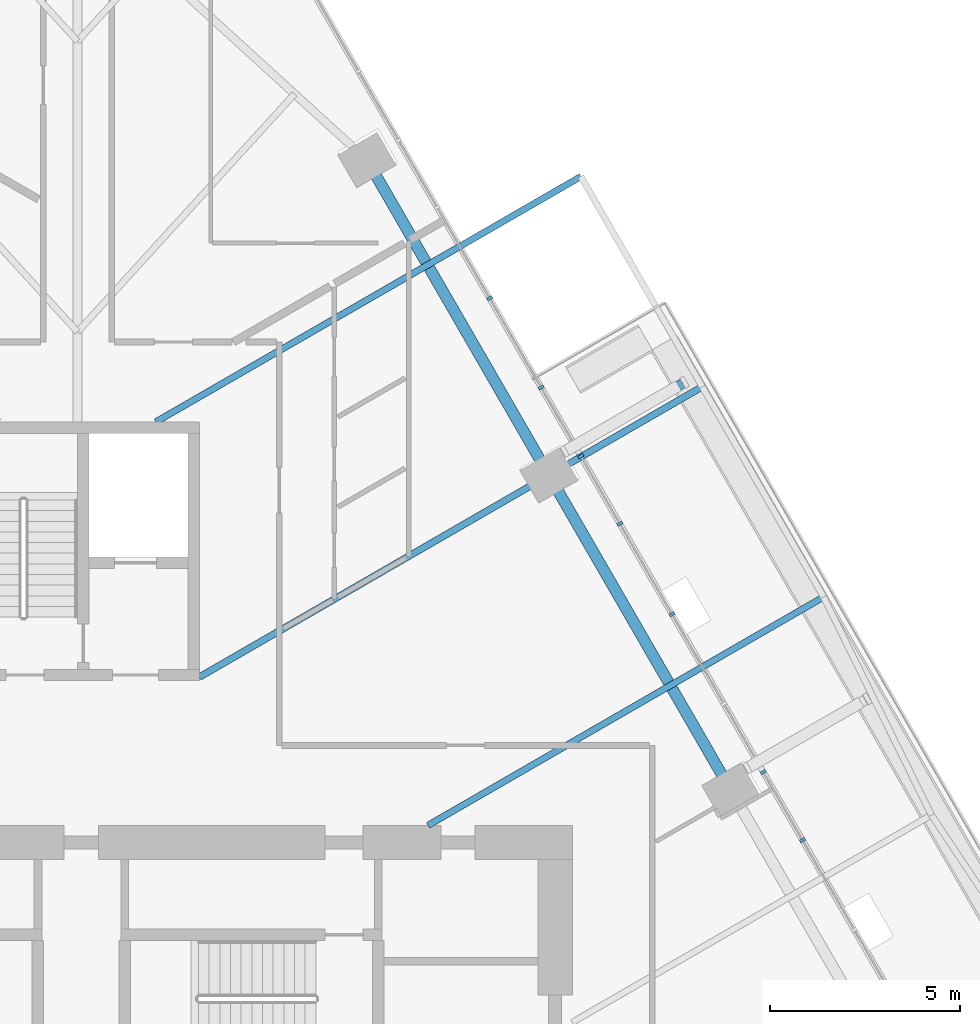
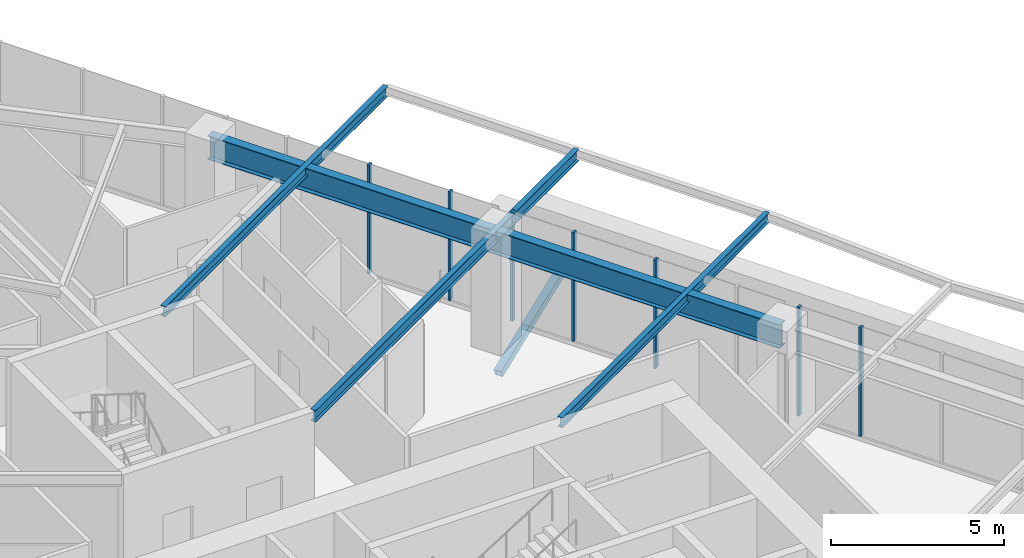
# One storey, part 9 of 29: 8 members, 4 beams, 1 element without a shape of its own.
"""IFC4 building model written with IfcOpenShell, lengths in metres."""

import ifcopenshell
import ifcopenshell.guid

model = None  # the IFC model being written
_history = None  # IfcOwnerHistory: only IFC2X3 demands one
_inside = {}  # id of a spatial element -> (the spatial element, [elements in it])
_under = {}  # id of a project, library or spatial element -> (it, [spatial elements below it])
_declared = {}  # id of a project -> (the project, [libraries it declares])
_typed = {}  # id of a type object -> (the type object, [elements of that type])
_made_of = {}  # id of a material, layer set ... -> (it, [elements and type objects made of it])


def new_model(schema):
    """Start an empty IFC model of exactly this schema.

    Asked for "IFC4X3", IfcOpenShell would pick the latest addendum, in which some entities
    have other attributes; the version numbers below select the first issue.
    IFC2X3 requires an IfcOwnerHistory on every rooted entity: one is made here for all.
    """
    global model, _history
    if schema == "IFC4X3":
        model = ifcopenshell.file(schema_version=(4, 3, 0, 0))
    else:
        model = ifcopenshell.file(schema=schema)
    _inside.clear()
    _under.clear()
    _declared.clear()
    _typed.clear()
    _made_of.clear()
    _history = None
    if model.schema == "IFC2X3":
        org = make("IfcOrganization", Name="unknown")
        user = make(
            "IfcPersonAndOrganization",
            ThePerson=make("IfcPerson", FamilyName="unknown"),
            TheOrganization=org,
        )
        app = make(
            "IfcApplication",
            ApplicationDeveloper=org,
            Version="unknown",
            ApplicationFullName="unknown",
            ApplicationIdentifier="unknown",
        )
        _history = make(
            "IfcOwnerHistory",
            OwningUser=user,
            OwningApplication=app,
            ChangeAction="ADDED",
            CreationDate=0,
        )
    return model


def make(cls, **values):
    """One entity of the class cls with the attributes given. An attribute that is None is left unset."""
    return model.create_entity(
        cls, **{name: value for name, value in values.items() if value is not None}
    )


def rooted(cls, **values):
    """An entity with a GlobalId (a new one), such as an element, a storey or a relation."""
    return make(cls, GlobalId=ifcopenshell.guid.new(), OwnerHistory=_history, **values)


def si_unit(unit_type, name, prefix=None):
    """IfcSIUnit, for example si_unit("LENGTHUNIT", "METRE", prefix="MILLI")."""
    return make("IfcSIUnit", UnitType=unit_type, Prefix=prefix, Name=name)


def assignment(units):
    """IfcUnitAssignment: the units of a project."""
    return None if units is None else make("IfcUnitAssignment", Units=units)


def point(xyz):
    """IfcCartesianPoint."""
    return None if xyz is None else make("IfcCartesianPoint", Coordinates=xyz)


def direction(xyz):
    """IfcDirection."""
    return None if xyz is None else make("IfcDirection", DirectionRatios=xyz)


def frame(location, z_axis=None, x_axis=None):
    """IfcAxis2Placement3D, a coordinate frame: its origin and axes. An axis left out is left unset."""
    return make(
        "IfcAxis2Placement3D",
        Location=point(location),
        Axis=direction(z_axis),
        RefDirection=direction(x_axis),
    )


def frame_2d(location, x_axis=None):
    """IfcAxis2Placement2D, a coordinate frame in the plane: its origin and x axis."""
    return make(
        "IfcAxis2Placement2D", Location=point(location), RefDirection=direction(x_axis)
    )


def origin():
    """The frame at (0, 0, 0) with its axes left unset."""
    return frame((0.0, 0.0, 0.0))


def origin_2d():
    """The frame at (0, 0) in the plane with its x axis left unset."""
    return frame_2d((0.0, 0.0))


def place(relative_to, where):
    """IfcLocalPlacement: puts the frame where relative to a parent placement (None: the world)."""
    return make(
        "IfcLocalPlacement", PlacementRelTo=relative_to, RelativePlacement=where
    )


def context(
    kind, dimensions, precision=None, world=None, true_north=None, identifier=None
):
    """IfcGeometricRepresentationContext, for example the 3D "Model" context."""
    return make(
        "IfcGeometricRepresentationContext",
        ContextIdentifier=identifier,
        ContextType=kind,
        CoordinateSpaceDimension=dimensions,
        Precision=precision,
        WorldCoordinateSystem=world,
        TrueNorth=true_north,
    )


def subcontext(parent, identifier, kind, view, scale=None):
    """IfcGeometricRepresentationSubContext, for example "Body" below "Model"."""
    return make(
        "IfcGeometricRepresentationSubContext",
        ContextIdentifier=identifier,
        ContextType=kind,
        ParentContext=parent,
        TargetScale=scale,
        TargetView=view,
    )


def project(units=None, contexts=None):
    """IfcProject with its units and contexts."""
    return rooted(
        "IfcProject",
        Name="project",
        RepresentationContexts=contexts,
        UnitsInContext=assignment(units),
    )


def spatial(cls, under=None, at=None, **own):
    """A site, building, storey or space (cls), placed at a placement, below another one or the project."""
    s = rooted(cls, ObjectPlacement=at, **own)
    if under is not None:
        _under.setdefault(under.id(), (under, []))[1].append(s)
    return s


def profile(cls, at=None, kind="AREA", **sizes):
    """A parametric profile (cls). Its sizes go by their IFC names, for example OverallWidth=200.0."""
    return make(cls, ProfileType=kind, Position=at, **sizes)


def rectangle(**sizes):
    """IfcRectangleProfileDef."""
    return profile("IfcRectangleProfileDef", **sizes)


def hollow_rectangle(**sizes):
    """IfcRectangleHollowProfileDef."""
    return profile("IfcRectangleHollowProfileDef", **sizes)


def i_section(**sizes):
    """IfcIShapeProfileDef."""
    return profile("IfcIShapeProfileDef", **sizes)


def extrude(swept, where, along, depth):
    """IfcExtrudedAreaSolid: the profile swept, set in the frame where, extruded along a direction by depth."""
    return make(
        "IfcExtrudedAreaSolid",
        SweptArea=swept,
        Position=where,
        ExtrudedDirection=direction(along),
        Depth=depth,
    )


def shape(context_of_items, identifier, shape_type, items):
    """IfcShapeRepresentation: the items that make up one representation, for example the "Body"."""
    return make(
        "IfcShapeRepresentation",
        ContextOfItems=context_of_items,
        RepresentationIdentifier=identifier,
        RepresentationType=shape_type,
        Items=items,
    )


def material(Name=None, Category=None):
    """IfcMaterial."""
    return make("IfcMaterial", Name=Name, Category=Category)


def layer(
    of_material, thickness, ventilated=None, Name=None, Category=None, Priority=None
):
    """IfcMaterialLayer: one layer of a wall or slab, of a material (None: an air gap)."""
    return make(
        "IfcMaterialLayer",
        Material=of_material,
        LayerThickness=thickness,
        IsVentilated=ventilated,
        Name=Name,
        Category=Category,
        Priority=Priority,
    )


def layer_set(layers, Name=None):
    """IfcMaterialLayerSet."""
    return make("IfcMaterialLayerSet", MaterialLayers=layers, LayerSetName=Name)


def material_profile(
    of_material, cross_section, Name=None, Category=None, Priority=None
):
    """IfcMaterialProfile: a cross section and its material."""
    return make(
        "IfcMaterialProfile",
        Name=Name,
        Material=of_material,
        Profile=cross_section,
        Priority=Priority,
        Category=Category,
    )


def profile_set(profiles, Name=None, composite=None):
    """IfcMaterialProfileSet."""
    return make(
        "IfcMaterialProfileSet",
        Name=Name,
        MaterialProfiles=profiles,
        CompositeProfile=composite,
    )


def made_of(thing, what):
    """Note that an element or type object is made of a material, layer set ...; save() writes the relation."""
    if what is not None:
        _made_of.setdefault(what.id(), (what, []))[1].append(thing)
    return thing


def type_object(cls, material=None, **own):
    """A type object (cls), such as IfcWallType, which elements share."""
    return made_of(rooted(cls, **own), material)


def element(
    cls,
    number,
    at=None,
    inside=None,
    cuts=None,
    type_object=None,
    material=None,
    context=None,
    identifier="Body",
    shape_type=None,
    held_by="IfcProductDefinitionShape",
    body=None,
    shapes=None,
    **own,
):
    """One element of the class cls, such as IfcWall. Its Tag is "e" and its number.

    at: its placement. inside: the storey or other place that contains it. cuts: it is an
    opening in that element (IfcRelVoidsElement). A single representation is given by context,
    identifier, shape_type and body (its items); several are given by shapes. held_by: the class
    of the entity that holds the representations. save() writes the other relations.
    """
    e = rooted(cls, Tag="e%d" % number, ObjectPlacement=at, **own)
    if body is not None:
        shapes = [shape(context, identifier, shape_type, body)]
    if shapes is not None:
        e.Representation = make(held_by, Representations=shapes)
    if inside is not None:
        _inside.setdefault(inside.id(), (inside, []))[1].append(e)
    if cuts is not None:
        rooted(
            "IfcRelVoidsElement", RelatingBuildingElement=cuts, RelatedOpeningElement=e
        )
    if type_object is not None:
        _typed.setdefault(type_object.id(), (type_object, []))[1].append(e)
    return made_of(e, material)


def aggregate(whole, parts):
    """IfcRelAggregates: a whole, such as a stair, and the parts it consists of."""
    return rooted("IfcRelAggregates", RelatingObject=whole, RelatedObjects=parts)


def save(model, path):
    """Write the relations noted so far, then the file.

    IfcRelAggregates (storeys below a building ...), IfcRelContainedInSpatialStructure (elements
    in a storey), IfcRelDefinesByType, IfcRelAssociatesMaterial and IfcRelDeclares: one each for
    every whole, place, type object, material and project.
    """
    for whole, parts in _under.values():
        aggregate(whole, parts)
    for where, things in _inside.values():
        rooted(
            "IfcRelContainedInSpatialStructure",
            RelatedElements=things,
            RelatingStructure=where,
        )
    for kind, things in _typed.values():
        rooted("IfcRelDefinesByType", RelatedObjects=things, RelatingType=kind)
    for what, things in _made_of.values():
        rooted("IfcRelAssociatesMaterial", RelatedObjects=things, RelatingMaterial=what)
    for by, libraries in _declared.values():
        rooted("IfcRelDeclares", RelatingContext=by, RelatedDefinitions=libraries)
    model.write(path)


model = new_model("IFC4")

# Units and contexts
model_context = context("Model", 3, precision=1e-05, world=origin(), true_north=direction((0.0, 1.0)))
body_context = subcontext(model_context, "Body", "Model", "MODEL_VIEW")
ifc_project = project(units=[si_unit("LENGTHUNIT", "METRE"), si_unit("AREAUNIT", "SQUARE_METRE"), si_unit("VOLUMEUNIT", "CUBIC_METRE"), si_unit("PLANEANGLEUNIT", "RADIAN"), si_unit("MASSUNIT", "GRAM", prefix="KILO")], contexts=[model_context])

# Site, building, storey
site_placement = place(None, origin())
site = spatial("IfcSite", under=ifc_project, at=site_placement, CompositionType="ELEMENT")
building_placement = place(site_placement, origin())
building = spatial("IfcBuilding", under=site, at=building_placement, Name="Firuza Gate Tower and Library", CompositionType="ELEMENT")
storey_placement = place(building_placement, frame((0.0, 0.0, 48.39990234375)))
storey = spatial("IfcBuildingStorey", under=building, at=storey_placement, Name="L10", CompositionType="ELEMENT", Elevation=48.39990234375)

# Curtain wall, members
ifc_material_1 = material(Name="Aluminium 6063-T6", Category="aluminium")
ifc_layer = layer(ifc_material_1, 0.14990234375)
ifc_layer_set = layer_set([ifc_layer], Name="Unitised curtain wall, offices")
curtain_wall_type = type_object("IfcCurtainWallType", Name="Unitised curtain wall, offices", PredefinedType="NOTDEFINED", material=ifc_layer_set)
curtain_wall_placement = place(storey_placement, origin())
curtain_wall = element("IfcCurtainWall", 1, at=curtain_wall_placement, inside=storey, type_object=curtain_wall_type, Name="CW1 L10 E face", PredefinedType="NOTDEFINED")
ifc_material_2 = material(Name="Aluminium 6063-T6", Category="aluminium")
ifc_material_profile_1 = material_profile(ifc_material_2, rectangle(XDim=0.14990234375, YDim=0.080078125, at=origin_2d()))
ifc_profile_set_1 = profile_set([ifc_material_profile_1], Name="Aluminium 6063-T6")
member_type_1 = type_object("IfcMemberType", Name="Curtain wall mullion 80x150", PredefinedType="MULLION", material=ifc_profile_set_1)
member_1_placement = place(storey_placement, frame((93.015869140625, 85.4013671875, 0.150146484375), z_axis=(0.0, 0.0, 1.0), x_axis=(-0.866025403784, -0.5, 0.0)))
member_1 = element("IfcMember", 2, at=member_1_placement, type_object=member_type_1, Name="Mullion", PredefinedType="MULLION", context=body_context, shape_type="SweptSolid", body=[
    extrude(rectangle(XDim=0.14990234375, YDim=0.080078125, at=origin_2d()), origin(), (0.0, 0.0, 1.0), 3.849853515625),
])
member_2_placement = place(storey_placement, frame((90.620361328125, 89.55029296875, 0.150146484375), z_axis=(0.0, 0.0, 1.0), x_axis=(-0.866025403784, -0.5, 0.0)))
member_2 = element("IfcMember", 3, at=member_2_placement, type_object=member_type_1, Name="Mullion", PredefinedType="MULLION", context=body_context, shape_type="SweptSolid", body=[
    extrude(rectangle(XDim=0.14990234375, YDim=0.080078125, at=origin_2d()), origin(), (0.0, 0.0, 1.0), 3.849853515625),
])
member_3_placement = place(storey_placement, frame((88.224853515625, 93.699462890625, 0.150146484375), z_axis=(0.0, 0.0, 1.0), x_axis=(-0.866025403784, -0.5, 0.0)))
member_3 = element("IfcMember", 4, at=member_3_placement, type_object=member_type_1, Name="Mullion", PredefinedType="MULLION", context=body_context, shape_type="SweptSolid", body=[
    extrude(rectangle(XDim=0.14990234375, YDim=0.080078125, at=origin_2d()), origin(), (0.0, 0.0, 1.0), 3.849853515625),
])
member_4_placement = place(storey_placement, frame((85.82958984375, 97.848388671875, 0.150146484375), z_axis=(0.0, 0.0, 1.0), x_axis=(-0.866025403784, -0.5, 0.0)))
member_4 = element("IfcMember", 5, at=member_4_placement, type_object=member_type_1, Name="Mullion", PredefinedType="MULLION", context=body_context, shape_type="SweptSolid", body=[
    extrude(rectangle(XDim=0.14990234375, YDim=0.080078125, at=origin_2d()), origin(), (0.0, 0.0, 1.0), 3.849853515625),
])
member_5_placement = place(storey_placement, frame((94.048828125, 83.612060546875, 0.150146484375), z_axis=(0.0, 0.0, 1.0), x_axis=(-0.866025403784, -0.5, 0.0)))
member_5 = element("IfcMember", 6, at=member_5_placement, type_object=member_type_1, Name="Mullion", PredefinedType="MULLION", context=body_context, shape_type="SweptSolid", body=[
    extrude(rectangle(XDim=0.14990234375, YDim=0.080078125, at=origin_2d()), origin(), (0.0, 0.0, 1.0), 3.849853515625),
])
member_6_placement = place(storey_placement, frame((89.248779296875, 91.926025390625, 0.150146484375), z_axis=(0.0, 0.0, 1.0), x_axis=(-0.866025403784, -0.5, 0.0)))
member_6 = element("IfcMember", 7, at=member_6_placement, type_object=member_type_1, Name="Mullion", PredefinedType="MULLION", context=body_context, shape_type="SweptSolid", body=[
    extrude(rectangle(XDim=0.14990234375, YDim=0.080078125, at=origin_2d()), origin(), (0.0, 0.0, 1.0), 3.849853515625),
])
member_7_placement = place(storey_placement, frame((87.1826171875, 95.504638671875, 0.150146484375), z_axis=(0.0, 0.0, 1.0), x_axis=(-0.866025403784, -0.5, 0.0)))
member_7 = element("IfcMember", 8, at=member_7_placement, type_object=member_type_1, Name="Mullion", PredefinedType="MULLION", context=body_context, shape_type="SweptSolid", body=[
    extrude(rectangle(XDim=0.14990234375, YDim=0.080078125, at=origin_2d()), origin(), (0.0, 0.0, 1.0), 3.849853515625),
])
aggregate(curtain_wall, [member_1, member_2, member_3, member_4, member_5, member_6, member_7])

# Member
ifc_material_3 = material(Name="Steel S355", Category="steel")
ifc_material_profile_2 = material_profile(ifc_material_3, hollow_rectangle(XDim=0.25390625, YDim=0.25390625, WallThickness=0.01171875, at=origin_2d()))
ifc_profile_set_2 = profile_set([ifc_material_profile_2], Name="Steel S355")
member_type_2 = type_object("IfcMemberType", Name="HSS254x254x13 Tray strut", PredefinedType="BRACE", material=ifc_profile_set_2)
member_8_placement = place(storey_placement, frame((87.820556640625, 93.83349609375, -1.669921875), z_axis=(0.807140949077, 0.466018027999, 0.362423351763), x_axis=(-0.500012057535, 0.866018442252, 0.0)))
element("IfcMember", 9, at=member_8_placement, inside=storey, type_object=member_type_2, Name="Tray strut L10 col:L09:E4", PredefinedType="BRACE", context=body_context, shape_type="SweptSolid", body=[
    extrude(hollow_rectangle(XDim=0.25390625, YDim=0.25390625, WallThickness=0.01171875, at=origin_2d()), origin(), (0.0, 0.0, 1.0), 3.862548828125),
])

# Beams
ifc_material_4 = material(Name="Steel S355", Category="steel")
ifc_material_profile_3 = material_profile(ifc_material_4, i_section(OverallWidth=0.1708984375, OverallDepth=0.35498046875, WebThickness=0.007080078125, FlangeThickness=0.01171875, at=origin_2d()))
ifc_profile_set_3 = profile_set([ifc_material_profile_3], Name="Steel S355")
beam_type_1 = type_object("IfcBeamType", Name="W360x51 Floor beam", PredefinedType="JOIST", material=ifc_profile_set_3)
beam_1_placement = place(storey_placement, frame((94.60400390625, 90.000732421875, 3.822509765625), z_axis=(-0.866030098739, -0.499991868013, 0.0), x_axis=(0.499991868013, -0.866030098739, 0.0)))
element("IfcBeam", 10, at=beam_1_placement, inside=storey, type_object=beam_type_1, Name="Floor beam L10 s53", PredefinedType="JOIST", context=body_context, shape_type="SweptSolid", body=[
    extrude(i_section(OverallWidth=0.1708984375, OverallDepth=0.35498046875, WebThickness=0.007080078125, FlangeThickness=0.01171875, at=origin_2d()), origin(), (0.0, 0.0, 1.0), 12.001708984375),
])
beam_2_placement = place(storey_placement, frame((88.225830078125, 101.048095703125, 3.822509765625), z_axis=(-0.866029218981, -0.499993391827, 0.0), x_axis=(0.499993391827, -0.866029218981, 0.0)))
element("IfcBeam", 11, at=beam_2_placement, inside=storey, type_object=beam_type_1, Name="Floor beam L10 s55", PredefinedType="JOIST", context=body_context, shape_type="SweptSolid", body=[
    extrude(i_section(OverallWidth=0.1708984375, OverallDepth=0.35498046875, WebThickness=0.007080078125, FlangeThickness=0.01171875, at=origin_2d()), origin(), (0.0, 0.0, 1.0), 12.896240234375),
])
ifc_material_5 = material(Name="Steel S355", Category="steel")
ifc_material_profile_4 = material_profile(ifc_material_5, i_section(OverallWidth=0.177978515625, OverallDepth=0.406982421875, WebThickness=0.0078125, FlangeThickness=0.0126953125, at=origin_2d()))
ifc_profile_set_4 = profile_set([ifc_material_profile_4], Name="Steel S355")
beam_type_2 = type_object("IfcBeamType", Name="W410x60 Floor beam", PredefinedType="JOIST", material=ifc_profile_set_4)
beam_3_placement = place(storey_placement, frame((91.414794921875, 95.5244140625, 3.796630859375), z_axis=(-0.866024124668, -0.500002215489, 0.0), x_axis=(0.500002215489, -0.866024124668, 0.0)))
element("IfcBeam", 12, at=beam_3_placement, inside=storey, type_object=beam_type_2, Name="Floor beam L10 s54", PredefinedType="JOIST", context=body_context, shape_type="SweptSolid", body=[
    extrude(i_section(OverallWidth=0.177978515625, OverallDepth=0.406982421875, WebThickness=0.0078125, FlangeThickness=0.0126953125, at=origin_2d()), origin(), (0.0, 0.0, 1.0), 15.25927734375),
])
ifc_material_6 = material(Name="Steel S355", Category="steel")
ifc_material_profile_5 = material_profile(ifc_material_6, i_section(OverallWidth=0.2919921875, OverallDepth=0.8349609375, WebThickness=0.013916015625, FlangeThickness=0.018798828125, at=origin_2d()))
ifc_profile_set_5 = profile_set([ifc_material_profile_5], Name="Steel S355")
beam_type_3 = type_object("IfcBeamType", Name="W840x176 Edge beam", PredefinedType="SPANDREL", material=ifc_profile_set_5)
beam_4_placement = place(storey_placement, frame((92.17138671875, 84.913818359375, 3.58251953125), z_axis=(-0.499993784471, 0.866028992292, 0.0), x_axis=(-0.866028992292, -0.499993784471, 0.0)))
element("IfcBeam", 13, at=beam_4_placement, inside=storey, type_object=beam_type_3, Name="Edge beam L10 e52", PredefinedType="SPANDREL", context=body_context, shape_type="SweptSolid", body=[
    extrude(i_section(OverallWidth=0.2919921875, OverallDepth=0.8349609375, WebThickness=0.013916015625, FlangeThickness=0.018798828125, at=origin_2d()), origin(), (0.0, 0.0, 1.0), 19.134521484375),
])

save(model, "model.ifc")
